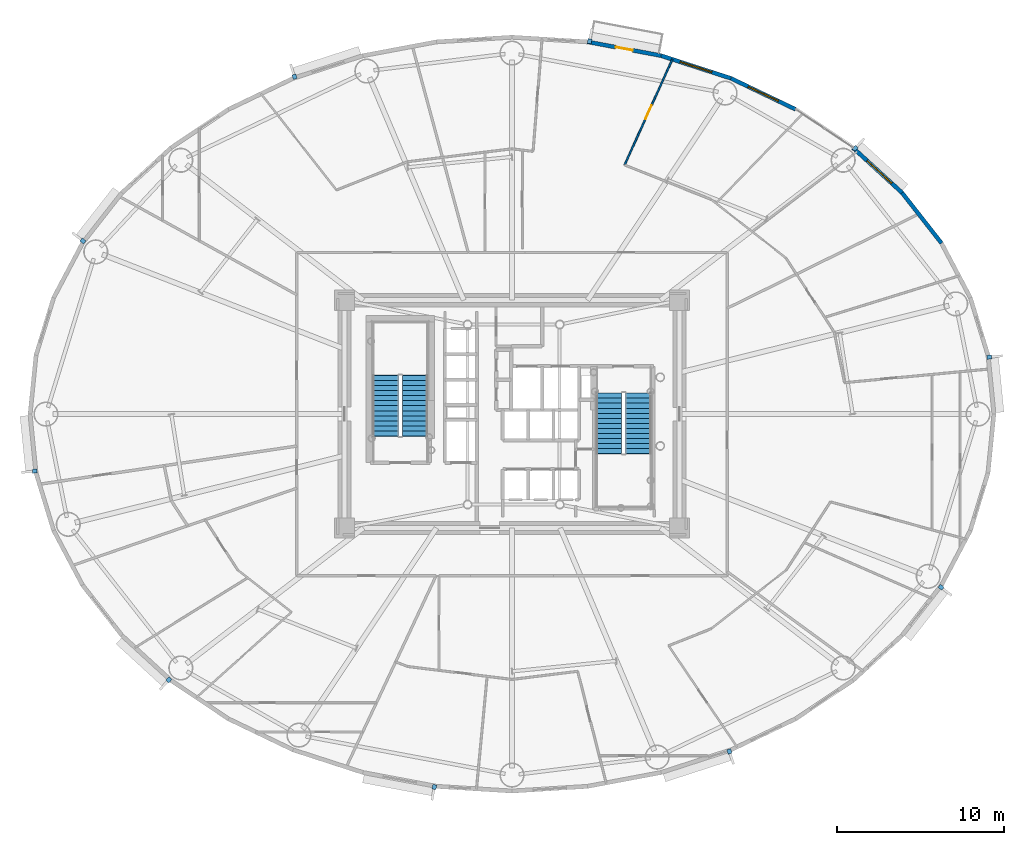
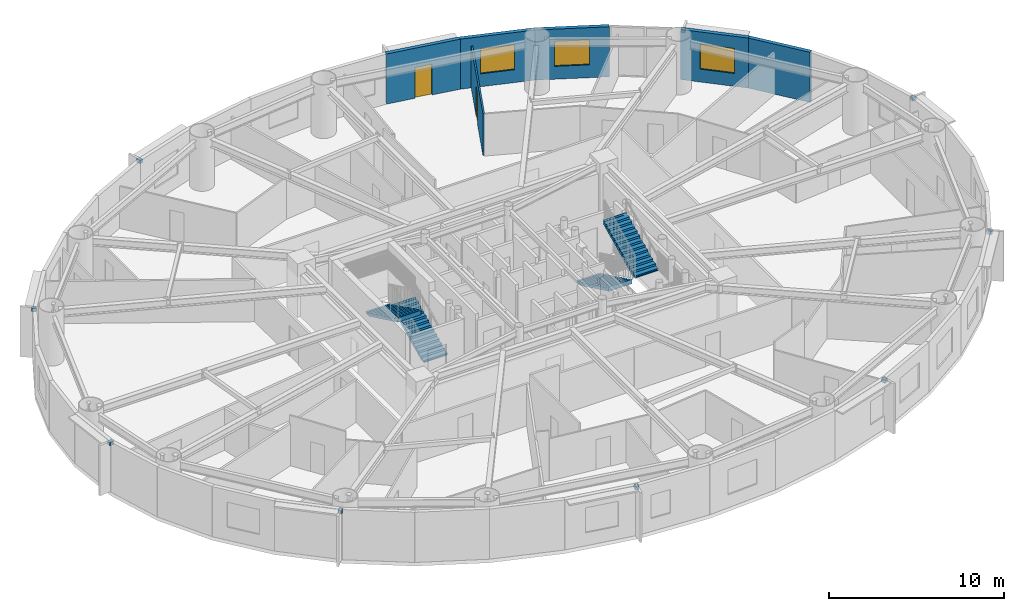
# One storey, part 16 of 21: 10 discrete accessories, 6 walls, 4 stair flights, 3 windows, 2 doors, 5 openings, 2 elements without a shape of their own.
"""IFC4 building model written with IfcOpenShell, lengths in metres."""

from ifc_helpers import new_model, si_unit, direction, frame, frame_2d, origin, origin_2d, place, context, subcontext, project, spatial, polyline, rectangle, outline, extrude, source, transform, mapped, material, layer, layer_set, type_object, element, fill, aggregate, save


model = new_model("IFC4")

# Units and contexts
model_context = context("Model", 3, precision=1e-05, world=origin(), true_north=direction((0.0, 1.0)))
body_context = subcontext(model_context, "Body", "Model", "MODEL_VIEW")
ifc_project = project(units=[si_unit("LENGTHUNIT", "METRE"), si_unit("AREAUNIT", "SQUARE_METRE"), si_unit("VOLUMEUNIT", "CUBIC_METRE"), si_unit("PLANEANGLEUNIT", "RADIAN"), si_unit("MASSUNIT", "GRAM", prefix="KILO")], contexts=[model_context])

# Site, building, storey
site_placement = place(None, origin())
site = spatial("IfcSite", under=ifc_project, at=site_placement, CompositionType="ELEMENT")
building_placement = place(site_placement, origin())
building = spatial("IfcBuilding", under=site, at=building_placement, Name="Linh Dai School and Residence Tower", CompositionType="ELEMENT")
storey_placement = place(building_placement, frame((0.0, 0.0, 134.699951171875)))
storey = spatial("IfcBuildingStorey", under=building, at=storey_placement, Name="L32", CompositionType="ELEMENT", Elevation=134.699951171875)

# Wall
ifc_material_1 = material(Name="Precast Concrete B45 (C35/45)", Category="concrete")
ifc_layer_1 = layer(ifc_material_1, 0.239990234375)
ifc_layer_set_1 = layer_set([ifc_layer_1], Name="Precast Concrete B45 (C35/45)")
wall_type_1 = type_object("IfcWallType", Name="EW-TC-240", PredefinedType="SOLIDWALL", material=ifc_layer_set_1)
wall_1_placement = place(storey_placement, frame((59.2890625, 40.216552734375, 0.0), z_axis=(0.0, 0.0, 1.0), x_axis=(0.616272103517, -0.787533297345, 0.0)))
element("IfcWall", 1, at=wall_1_placement, inside=storey, type_object=wall_type_1, Name="L32 Terracotta Exterior Wall 04", PredefinedType="SOLIDWALL", context=body_context, shape_type="SweptSolid", body=[
    extrude(rectangle(XDim=3.8232421875, YDim=0.239990234375, at=frame_2d((1.91162109375, 0.0))), origin(), (0.0, 0.0, 1.0), 3.5),
])

# Wall, opening, window
wall_2_placement = place(storey_placement, frame((56.3583984375, 42.9033203125, 0.0), z_axis=(0.0, 0.0, 1.0), x_axis=(0.737113356241, -0.675769117414, 0.0)))
wall_2 = element("IfcWall", 2, at=wall_2_placement, inside=storey, type_object=wall_type_1, Name="L32 Terracotta Exterior Wall 05", PredefinedType="SOLIDWALL", context=body_context, shape_type="SweptSolid", body=[
    extrude(rectangle(XDim=3.975830078125, YDim=0.239990234375, at=frame_2d((1.98779296875, 0.0))), origin(), (0.0, 0.0, 1.0), 3.5),
])
opening_1_placement = place(wall_2_placement, frame((1.140625, 0.0, 0.89990234375)))
opening_1 = element("IfcOpeningElement", 3, at=opening_1_placement, cuts=wall_2, Name="Opening W1", PredefinedType="OPENING", context=body_context, shape_type="SweptSolid", body=[
    extrude(rectangle(XDim=2.0, YDim=1.75, at=origin_2d()), frame((1.0, 0.1298828125, 0.875), z_axis=(0.0, -1.0, 0.0), x_axis=(1.0, 0.0, 0.0)), (0.0, 0.0, 1.0), 0.260009765625),
])
ifc_material_2 = material(Name="Double Low-E Insulated Glazing", Category="glass")
window_type = type_object("IfcWindowType", Name="WN-RES-2000x1750", PartitioningType="DOUBLE_PANEL_VERTICAL", PredefinedType="WINDOW", material=ifc_material_2)
shared_shape_1 = source(origin(), body_context, "Body", "SweptSolid", [
    extrude(rectangle(XDim=2.0, YDim=1.75, at=origin_2d()), frame((1.0, 0.030029296875, 0.875), z_axis=(0.0, -1.0, 0.0), x_axis=(1.0, 0.0, 0.0)), (0.0, 0.0, 1.0), 0.06005859375),
])
window_1_placement = place(opening_1_placement, origin())
window_1 = element("IfcWindow", 4, at=window_1_placement, inside=storey, type_object=window_type, Name="L32 Exterior Window 05.1", OverallHeight=1.75, OverallWidth=2.0, PartitioningType="DOUBLE_PANEL_VERTICAL", PredefinedType="WINDOW", context=body_context, shape_type="MappedRepresentation", body=[
    mapped(shared_shape_1, transform((0.0, 0.0, 0.0), x_axis=(1.0, 0.0, 0.0), y_axis=(0.0, 1.0, 0.0), z_axis=(0.0, 0.0, 1.0), scale=1.0)),
])
fill(opening_1, window_1)

wall_3_placement = place(storey_placement, frame((49.073974609375, 47.04736328125, 0.0), z_axis=(0.0, 0.0, 1.0), x_axis=(0.901589935876, -0.432591709962, 0.0)))
wall_3 = element("IfcWall", 5, at=wall_3_placement, inside=storey, type_object=wall_type_1, Name="L32 Terracotta Exterior Wall 07", PredefinedType="SOLIDWALL", context=body_context, shape_type="SweptSolid", body=[
    extrude(rectangle(XDim=4.271728515625, YDim=0.239990234375, at=frame_2d((2.1357421875, 0.0))), origin(), (0.0, 0.0, 1.0), 3.5),
])
opening_2_placement = place(wall_3_placement, frame((1.1357421875, 0.0, 0.89990234375)))
opening_2 = element("IfcOpeningElement", 6, at=opening_2_placement, cuts=wall_3, Name="Opening W1", PredefinedType="OPENING", context=body_context, shape_type="SweptSolid", body=[
    extrude(rectangle(XDim=2.0, YDim=1.75, at=origin_2d()), frame((1.0, 0.1298828125, 0.875), z_axis=(0.0, -1.0, 0.0), x_axis=(1.0, 0.0, 0.0)), (0.0, 0.0, 1.0), 0.260009765625),
])
window_2_placement = place(opening_2_placement, origin())
window_2 = element("IfcWindow", 7, at=window_2_placement, inside=storey, type_object=window_type, Name="L32 Exterior Window 07.1", OverallHeight=1.75, OverallWidth=2.0, PartitioningType="DOUBLE_PANEL_VERTICAL", PredefinedType="WINDOW", context=body_context, shape_type="MappedRepresentation", body=[
    mapped(shared_shape_1, transform((0.0, 0.0, 0.0), x_axis=(1.0, 0.0, 0.0), y_axis=(0.0, 1.0, 0.0), z_axis=(0.0, 0.0, 1.0), scale=1.0)),
])
fill(opening_2, window_2)

wall_4_placement = place(storey_placement, frame((44.899658203125, 48.4013671875, 0.0), z_axis=(0.0, 0.0, 1.0), x_axis=(0.951211346073, -0.308540070495, 0.0)))
wall_4 = element("IfcWall", 8, at=wall_4_placement, inside=storey, type_object=wall_type_1, Name="L32 Terracotta Exterior Wall 08", PredefinedType="SOLIDWALL", context=body_context, shape_type="SweptSolid", body=[
    extrude(rectangle(XDim=4.388427734375, YDim=0.239990234375, at=frame_2d((2.1943359375, 0.0))), origin(), (0.0, 0.0, 1.0), 3.5),
])
opening_3_placement = place(wall_4_placement, frame((1.194091796875, 0.0, 0.89990234375)))
opening_3 = element("IfcOpeningElement", 9, at=opening_3_placement, cuts=wall_4, Name="Opening W1", PredefinedType="OPENING", context=body_context, shape_type="SweptSolid", body=[
    extrude(rectangle(XDim=2.0, YDim=1.75, at=origin_2d()), frame((1.0, 0.1298828125, 0.875), z_axis=(0.0, -1.0, 0.0), x_axis=(1.0, 0.0, 0.0)), (0.0, 0.0, 1.0), 0.260009765625),
])
window_3_placement = place(opening_3_placement, origin())
window_3 = element("IfcWindow", 10, at=window_3_placement, inside=storey, type_object=window_type, Name="L32 Exterior Window 08.1", OverallHeight=1.75, OverallWidth=2.0, PartitioningType="DOUBLE_PANEL_VERTICAL", PredefinedType="WINDOW", context=body_context, shape_type="MappedRepresentation", body=[
    mapped(shared_shape_1, transform((0.0, 0.0, 0.0), x_axis=(1.0, 0.0, 0.0), y_axis=(0.0, 1.0, 0.0), z_axis=(0.0, 0.0, 1.0), scale=1.0)),
])
fill(opening_3, window_3)

# Wall, opening, door
wall_5_placement = place(storey_placement, frame((40.505615234375, 49.227294921875, 0.0), z_axis=(0.0, 0.0, 1.0), x_axis=(0.982789252177, -0.184730305596, 0.0)))
wall_5 = element("IfcWall", 11, at=wall_5_placement, inside=storey, type_object=wall_type_1, Name="L32 Terracotta Exterior Wall 09", PredefinedType="SOLIDWALL", context=body_context, shape_type="SweptSolid", body=[
    extrude(rectangle(XDim=4.470947265625, YDim=0.239990234375, at=frame_2d((2.2353515625, 0.0))), origin(), (0.0, 0.0, 1.0), 3.5),
])
opening_4_placement = place(wall_5_placement, frame((1.710693359375, 0.0, 0.0)))
opening_4 = element("IfcOpeningElement", 12, at=opening_4_placement, cuts=wall_5, Name="Opening BD1", PredefinedType="OPENING", context=body_context, shape_type="SweptSolid", body=[
    extrude(rectangle(XDim=1.050048828125, YDim=2.14990234375, at=origin_2d()), frame((0.52490234375, 0.1298828125, 1.074951171875), z_axis=(0.0, -1.0, 0.0), x_axis=(1.0, 0.0, 0.0)), (0.0, 0.0, 1.0), 0.260009765625),
])
ifc_material_3 = material(Name="Double-Glazed Balcony Door", Category="glass")
door_type_1 = type_object("IfcDoorType", Name="DR-BALC-1050x2150", OperationType="NOTDEFINED", PredefinedType="DOOR", material=ifc_material_3)
shared_shape_2 = source(origin(), body_context, "Body", "SweptSolid", [
    extrude(rectangle(XDim=1.050048828125, YDim=2.14990234375, at=origin_2d()), frame((0.52490234375, 0.02490234375, 1.074951171875), z_axis=(0.0, -1.0, 0.0), x_axis=(1.0, 0.0, 0.0)), (0.0, 0.0, 1.0), 0.050048828125),
])
door_1_placement = place(opening_4_placement, origin())
door_1 = element("IfcDoor", 13, at=door_1_placement, inside=storey, type_object=door_type_1, Name="L32 Glazed Balcony Door 09", OperationType="SINGLE_SWING_RIGHT", OverallHeight=2.14990234375, OverallWidth=1.050048828125, PredefinedType="DOOR", context=body_context, shape_type="MappedRepresentation", body=[
    mapped(shared_shape_2, transform((0.0, 0.0, 0.0), x_axis=(1.0, 0.0, 0.0), y_axis=(0.0, 1.0, 0.0), z_axis=(0.0, 0.0, 1.0), scale=1.0)),
])
fill(opening_4, door_1)

ifc_material_4 = material(Name="Gypsum Plasterboard Acoustic Stud Partition", Category="masonry")
ifc_layer_2 = layer(ifc_material_4, 0.10009765625)
ifc_layer_set_2 = layer_set([ifc_layer_2], Name="Gypsum Plasterboard Acoustic Stud Partition")
wall_type_2 = type_object("IfcWallType", Name="IW-UNIT-100", PredefinedType="PARTITIONING", material=ifc_layer_set_2)
wall_6_placement = place(storey_placement, frame((42.724365234375, 41.876953125, 0.0), z_axis=(0.0, 0.0, 1.0), x_axis=(0.411868207503, 0.911243425023, 0.0)))
wall_6 = element("IfcWall", 14, at=wall_6_placement, inside=storey, type_object=wall_type_2, Name="L32 Interior Partition Wall 072", PredefinedType="PARTITIONING", context=body_context, shape_type="SweptSolid", body=[
    extrude(rectangle(XDim=6.924560546875, YDim=0.10009765625, at=frame_2d((3.46240234375, 0.0))), origin(), (0.0, 0.0, 1.0), 2.93505859375),
])
opening_5_placement = place(wall_6_placement, frame((3.01220703125, 0.0, 0.0)))
opening_5 = element("IfcOpeningElement", 15, at=opening_5_placement, cuts=wall_6, Name="Opening D05", PredefinedType="OPENING", context=body_context, shape_type="SweptSolid", body=[
    extrude(rectangle(XDim=0.89990234375, YDim=2.10009765625, at=origin_2d()), frame((0.449951171875, 0.06005859375, 1.050048828125), z_axis=(0.0, -1.0, 0.0), x_axis=(1.0, 0.0, 0.0)), (0.0, 0.0, 1.0), 0.1201171875),
])
ifc_material_5 = material(Name="Engineered Timber Internal Door", Category="wood")
door_type_2 = type_object("IfcDoorType", Name="DR-INT-900x2100", OperationType="NOTDEFINED", PredefinedType="DOOR", material=ifc_material_5)
shared_shape_3 = source(origin(), body_context, "Body", "SweptSolid", [
    extrude(rectangle(XDim=0.89990234375, YDim=2.10009765625, at=origin_2d()), frame((0.449951171875, 0.02490234375, 1.050048828125), z_axis=(0.0, -1.0, 0.0), x_axis=(1.0, 0.0, 0.0)), (0.0, 0.0, 1.0), 0.050048828125),
])
door_2_placement = place(opening_5_placement, origin())
door_2 = element("IfcDoor", 16, at=door_2_placement, inside=storey, type_object=door_type_2, Name="L32 Apartment U3204 Principal Bedroom 2 Door", OperationType="SINGLE_SWING_RIGHT", OverallHeight=2.10009765625, OverallWidth=0.89990234375, PredefinedType="DOOR", context=body_context, shape_type="MappedRepresentation", body=[
    mapped(shared_shape_3, transform((0.0, 0.0, 0.0), x_axis=(1.0, 0.0, 0.0), y_axis=(0.0, 1.0, 0.0), z_axis=(0.0, 0.0, 1.0), scale=1.0)),
])
fill(opening_5, door_2)

# Stair, stair flights
ifc_material_6 = material(Name="Concrete B45 (C35/45)", Category="concrete")
stair_type = type_object("IfcStairType", Name="ST-DOG-1550-R1442", PredefinedType="HALF_TURN_STAIR", material=ifc_material_6)
stair_1_placement = place(storey_placement, origin())
stair_1 = element("IfcStair", 17, at=stair_1_placement, inside=storey, type_object=stair_type, Name="L32 Core Smokeproof Exit Stair ST1", PredefinedType="HALF_TURN_STAIR")
stair_flight_type = type_object("IfcStairFlightType", Name="STF-STR-1550-R1442", PredefinedType="STRAIGHT", material=ifc_material_6)
shared_shape_4 = source(origin(), body_context, "Body", "SweptSolid", [
    extrude(outline(polyline([(-0.02490234375, 0.0), (-0.02490234375, 0.06005859375), (0.0, 0.06005859375), (0.0, 0.144287109375), (0.300048828125, 0.144287109375), (0.300048828125, 0.28857421875), (0.60009765625, 0.28857421875), (0.60009765625, 0.4326171875), (0.89990234375, 0.4326171875), (0.89990234375, 0.576904296875), (1.199951171875, 0.576904296875), (1.199951171875, 0.72119140625), (1.5, 0.72119140625), (1.5, 0.865478515625), (1.800048828125, 0.865478515625), (1.800048828125, 1.009521484375), (2.10009765625, 1.009521484375), (2.10009765625, 1.15380859375), (2.39990234375, 1.15380859375), (2.39990234375, 1.298095703125), (2.699951171875, 1.298095703125), (2.699951171875, 1.4423828125), (3.0, 1.4423828125), (3.0, 1.58642578125), (3.300048828125, 1.58642578125), (3.300048828125, 1.730712890625), (3.60009765625, 1.730712890625), (3.60009765625, 1.875), (3.625, 1.875), (3.625, 1.564453125), (3.60009765625, 1.564453125), (0.345947265625, 0.0), (-0.02490234375, 0.0)])), frame((0.0, 0.77490234375, 0.0), z_axis=(0.0, -1.0, 0.0), x_axis=(1.0, 0.0, 0.0)), (0.0, 0.0, 1.0), 1.550048828125),
])
stair_flight_1_placement = place(storey_placement, frame((30.205078125, 25.699951171875, 0.0), z_axis=(0.0, 0.0, 1.0), x_axis=(0.0, 1.0, 0.0)))
stair_flight_1 = element("IfcStairFlight", 18, at=stair_flight_1_placement, type_object=stair_flight_type, Name="ST1 flight 1", NumberOfRisers=13, NumberOfTreads=12, PredefinedType="STRAIGHT", RiserHeight=0.144230769, TreadLength=0.3, context=body_context, shape_type="MappedRepresentation", body=[
    mapped(shared_shape_4, transform((0.0, 0.0, 0.0), x_axis=(1.0, 0.0, 0.0), y_axis=(0.0, 1.0, 0.0), z_axis=(0.0, 0.0, 1.0), scale=1.0)),
])
stair_flight_2_placement = place(storey_placement, frame((28.455078125, 29.300048828125, 1.875), z_axis=(0.0, 0.0, 1.0), x_axis=(0.0, -1.0, 0.0)))
stair_flight_2 = element("IfcStairFlight", 19, at=stair_flight_2_placement, type_object=stair_flight_type, Name="ST1 flight 2", NumberOfRisers=13, NumberOfTreads=12, PredefinedType="STRAIGHT", RiserHeight=0.144230769, TreadLength=0.3, context=body_context, shape_type="MappedRepresentation", body=[
    mapped(shared_shape_4, transform((0.0, 0.0, 0.0), x_axis=(1.0, 0.0, 0.0), y_axis=(0.0, 1.0, 0.0), z_axis=(0.0, 0.0, 1.0), scale=1.0)),
])
aggregate(stair_1, [stair_flight_1, stair_flight_2])

stair_2_placement = place(storey_placement, origin())
stair_2 = element("IfcStair", 20, at=stair_2_placement, inside=storey, type_object=stair_type, Name="L32 Core Smokeproof Exit Stair ST2", PredefinedType="HALF_TURN_STAIR")
stair_flight_3_placement = place(storey_placement, frame((41.794921875, 28.25, 0.0), z_axis=(0.0, 0.0, 1.0), x_axis=(0.0, -1.0, 0.0)))
stair_flight_3 = element("IfcStairFlight", 21, at=stair_flight_3_placement, type_object=stair_flight_type, Name="ST2 flight 1", NumberOfRisers=13, NumberOfTreads=12, PredefinedType="STRAIGHT", RiserHeight=0.144230769, TreadLength=0.3, context=body_context, shape_type="MappedRepresentation", body=[
    mapped(shared_shape_4, transform((0.0, 0.0, 0.0), x_axis=(1.0, 0.0, 0.0), y_axis=(0.0, 1.0, 0.0), z_axis=(0.0, 0.0, 1.0), scale=1.0)),
])
stair_flight_4_placement = place(storey_placement, frame((43.544921875, 24.64990234375, 1.875), z_axis=(0.0, 0.0, 1.0), x_axis=(0.0, 1.0, 0.0)))
stair_flight_4 = element("IfcStairFlight", 22, at=stair_flight_4_placement, type_object=stair_flight_type, Name="ST2 flight 2", NumberOfRisers=13, NumberOfTreads=12, PredefinedType="STRAIGHT", RiserHeight=0.144230769, TreadLength=0.3, context=body_context, shape_type="MappedRepresentation", body=[
    mapped(shared_shape_4, transform((0.0, 0.0, 0.0), x_axis=(1.0, 0.0, 0.0), y_axis=(0.0, 1.0, 0.0), z_axis=(0.0, 0.0, 1.0), scale=1.0)),
])
aggregate(stair_2, [stair_flight_3, stair_flight_4])

# Discrete accessories
ifc_material_7 = material(Name="Structural Steel S355JR", Category="steel")
discrete_accessory_type = type_object("IfcDiscreteAccessoryType", Name="ACC-BRK-S355", PredefinedType="BRACKET", material=ifc_material_7)
shared_shape_5 = source(origin(), body_context, "Body", "SweptSolid", [
    extrude(rectangle(XDim=0.280029296875, YDim=0.239990234375, at=origin_2d()), origin(), (0.0, 0.0, 1.0), 0.219970703125),
])
for number, where, z_axis, x_axis, name in (
    (23, (64.493408203125, 30.40185546875, 3.25), (0.0, 0.0, 1.0), (0.994986703684, 0.100007297192, 0.0), "L32 Facade Frame Anchor Bracket 01"),
    (24, (56.4873046875, 42.866455078125, 3.25), (0.0, 0.0, 1.0), (0.675783395482, 0.737100266172, 0.0), "L32 Facade Frame Anchor Bracket 05"),
    (25, (40.634521484375, 49.26416015625, 3.25), (0.0, 0.0, 1.0), (0.18475466193, 0.982784673718, 0.0), "L32 Facade Frame Anchor Bracket 09"),
    (26, (23.021728515625, 47.1416015625, 3.25), (0.0, 0.0, 1.0), (-0.308522363457, 0.951217089442, 0.0), "L32 Facade Frame Anchor Bracket 13"),
    (27, (10.38134765625, 37.337158203125, 3.25), (0.0, 0.0, 1.0), (-0.787507539838, 0.616305017583, 0.0), "L32 Facade Frame Anchor Bracket 17"),
    (28, (7.506591796875, 23.59814453125, 3.25), (0.0, 0.0, 1.0), (-0.994986703684, -0.100007297192, 0.0), "L32 Facade Frame Anchor Bracket 21"),
    (29, (15.5126953125, 11.133544921875, 3.25), (0.0, 0.0, 1.0), (-0.675783395482, -0.737100266172, 0.0), "L32 Facade Frame Anchor Bracket 25"),
    (30, (31.365478515625, 4.73583984375, 3.25), (0.0, 0.0, 1.0), (-0.18475466193, -0.982784673718, 0.0), "L32 Facade Frame Anchor Bracket 29"),
    (31, (48.978271484375, 6.8583984375, 3.25), (0.0, 0.0, 1.0), (0.308522363457, -0.951217089442, 0.0), "L32 Facade Frame Anchor Bracket 33"),
    (32, (61.61865234375, 16.662841796875, 3.25), (0.0, 0.0, 1.0), (0.787507539838, -0.616305017583, 0.0), "L32 Facade Frame Anchor Bracket 37"),
):
    element("IfcDiscreteAccessory", number, at=place(storey_placement, frame(where, z_axis=z_axis, x_axis=x_axis)), inside=storey, type_object=discrete_accessory_type, Name=name, PredefinedType="BRACKET", context=body_context, shape_type="MappedRepresentation", body=[
        mapped(shared_shape_5, transform((0.0, 0.0, 0.0), x_axis=(1.0, 0.0, 0.0), y_axis=(0.0, 1.0, 0.0), z_axis=(0.0, 0.0, 1.0), scale=1.0)),
    ])

save(model, "model.ifc")
